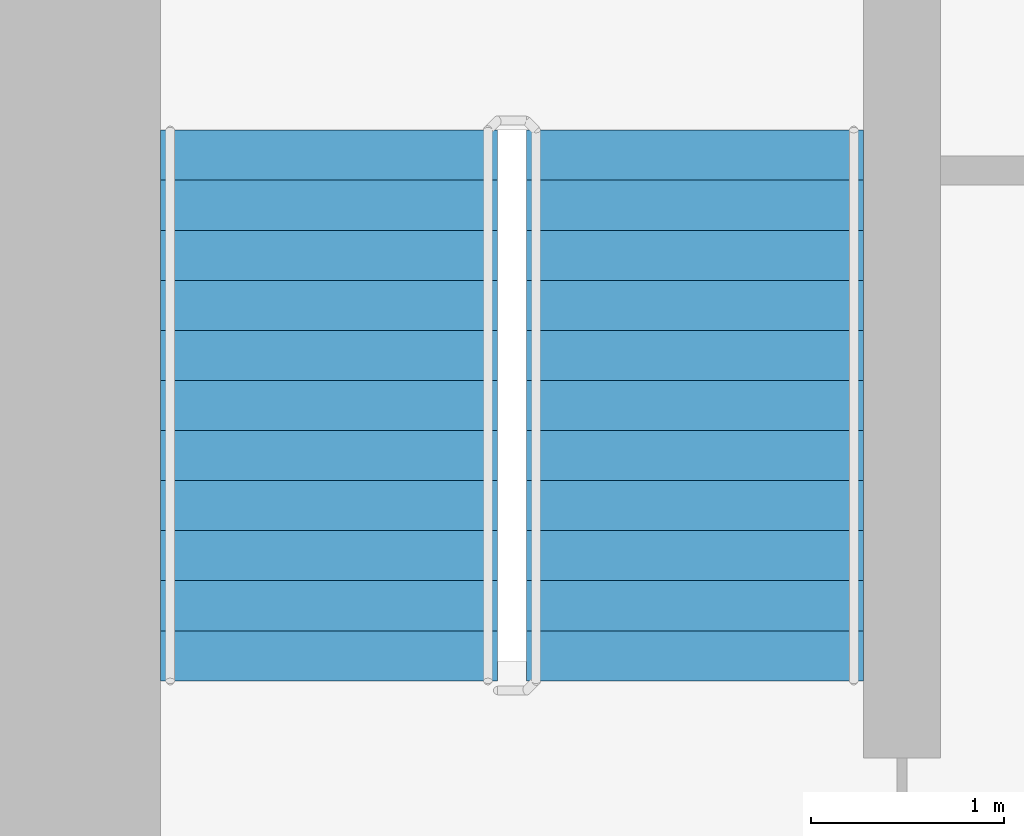
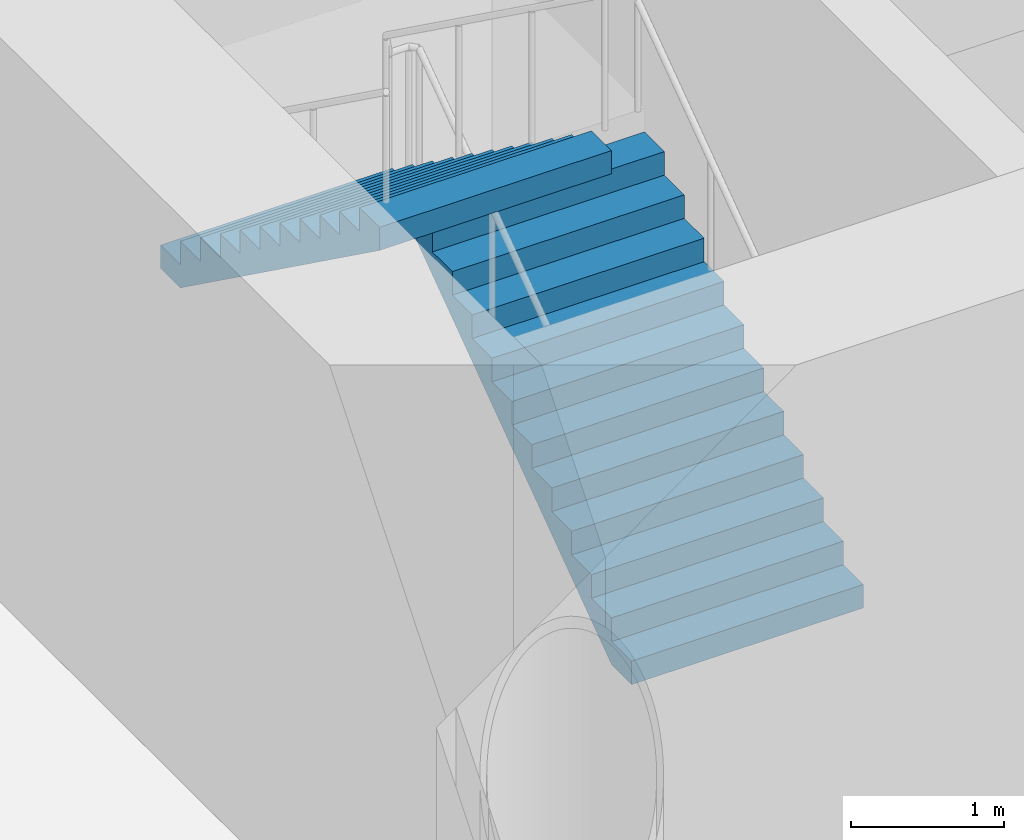
# One storey, part 39 of 49: 2 stair flights, 1 element without a shape of its own.
"""IFC4 building model written with IfcOpenShell, lengths in metres."""

from ifc_helpers import new_model, si_unit, direction, frame, origin, place, context, subcontext, project, spatial, faceted_brep, material, type_object, element, aggregate, save


model = new_model("IFC4")

# Units and contexts
model_context = context("Model", 3, precision=1e-05, world=origin(), true_north=direction((0.0, 1.0)))
body_context = subcontext(model_context, "Body", "Model", "MODEL_VIEW")
ifc_project = project(units=[si_unit("LENGTHUNIT", "METRE"), si_unit("AREAUNIT", "SQUARE_METRE"), si_unit("VOLUMEUNIT", "CUBIC_METRE"), si_unit("PLANEANGLEUNIT", "RADIAN"), si_unit("MASSUNIT", "GRAM", prefix="KILO")], contexts=[model_context])

# Site, building, storey
site_placement = place(None, origin())
site = spatial("IfcSite", under=ifc_project, at=site_placement, CompositionType="ELEMENT")
building_placement = place(site_placement, origin())
building = spatial("IfcBuilding", under=site, at=building_placement, Name="Ipe Terrace Towers", CompositionType="ELEMENT")
storey_placement = place(building_placement, frame((0.0, 0.0, 11.0)))
storey = spatial("IfcBuildingStorey", under=building, at=storey_placement, Name="L02", CompositionType="ELEMENT", Elevation=11.0)

# Stair, stair flights
ifc_material_1 = material(Name="Concrete C30/37", Category="concrete")
stair_type = type_object("IfcStairType", Name="Protected exit stair", PredefinedType="HALF_TURN_STAIR", material=ifc_material_1)
stair_placement = place(storey_placement, origin())
stair = element("IfcStair", 1, at=stair_placement, inside=storey, type_object=stair_type, Name="L02 Exit stair T2-C1", PredefinedType="HALF_TURN_STAIR")
ifc_material_2 = material(Name="Concrete C30/37", Category="concrete")
stair_flight_type = type_object("IfcStairFlightType", Name="Exit stair flight 1750", PredefinedType="STRAIGHT", material=ifc_material_2)
stair_flight_1_placement = place(storey_placement, frame((33.22509765625, 9.699951171875, 0.0), z_axis=(0.0, 0.0, 1.0), x_axis=(0.0, 1.0, 0.0)))
stair_flight_1 = element("IfcStairFlight", 2, at=stair_flight_1_placement, type_object=stair_flight_type, Name="T2-ST1 flight 1", NumberOfRisers=12, NumberOfTreads=11, PredefinedType="STRAIGHT", RiserHeight=0.1875, TreadLength=0.26, context=body_context, shape_type="Brep", body=[
    faceted_brep([(0.25634765625, -0.875, 0.0), (2.860107421875, -0.875, 1.877685546875), (2.860107421875, -0.875, 2.0625), (2.60009765625, -0.875, 2.0625), (2.60009765625, -0.875, 1.875), (2.340087890625, -0.875, 1.875), (2.340087890625, -0.875, 1.6875), (2.080078125, -0.875, 1.6875), (2.080078125, -0.875, 1.5), (1.820068359375, -0.875, 1.5), (1.820068359375, -0.875, 1.3125), (1.56005859375, -0.875, 1.3125), (1.56005859375, -0.875, 1.125), (1.300048828125, -0.875, 1.125), (1.300048828125, -0.875, 0.9375), (1.0400390625, -0.875, 0.9375), (1.0400390625, -0.875, 0.75), (0.780029296875, -0.875, 0.75), (0.780029296875, -0.875, 0.5625), (0.52001953125, -0.875, 0.5625), (0.52001953125, -0.875, 0.375), (0.260009765625, -0.875, 0.375), (0.260009765625, -0.875, 0.1875), (0.0, -0.875, 0.1875), (0.0, -0.875, 0.0), (0.0, 0.875, 0.0), (0.0, 0.875, 0.1875), (0.260009765625, 0.875, 0.1875), (0.260009765625, 0.875, 0.375), (0.52001953125, 0.875, 0.375), (0.52001953125, 0.875, 0.5625), (0.780029296875, 0.875, 0.5625), (0.780029296875, 0.875, 0.75), (1.0400390625, 0.875, 0.75), (1.0400390625, 0.875, 0.9375), (1.300048828125, 0.875, 0.9375), (1.300048828125, 0.875, 1.125), (1.56005859375, 0.875, 1.125), (1.56005859375, 0.875, 1.3125), (1.820068359375, 0.875, 1.3125), (1.820068359375, 0.875, 1.5), (2.080078125, 0.875, 1.5), (2.080078125, 0.875, 1.6875), (2.340087890625, 0.875, 1.6875), (2.340087890625, 0.875, 1.875), (2.60009765625, 0.875, 1.875), (2.60009765625, 0.875, 2.0625), (2.860107421875, 0.875, 2.0625), (2.860107421875, 0.875, 1.877685546875), (0.25634765625, 0.875, 0.0), (0.0, -0.300048828125, 0.1875), (0.0, -0.1201171875, 0.1875), (0.0, -0.06005859375, 0.1875), (0.0, -0.030029296875, 0.1875), (0.0, -0.010009765625, 0.1875), (0.0, 0.0, 0.1875), (0.0, 0.010009765625, 0.1875), (0.0, 0.030029296875, 0.1875), (0.0, 0.06005859375, 0.1875), (0.0, 0.1201171875, 0.1875), (0.0, 0.300048828125, 0.1875), (0.0, 0.300048828125, 0.0), (0.0, 0.1201171875, 0.0), (0.0, 0.06005859375, 0.0), (0.0, 0.030029296875, 0.0), (0.0, 0.010009765625, 0.0), (0.0, 0.0, 0.0), (0.0, -0.010009765625, 0.0), (0.0, -0.030029296875, 0.0), (0.0, -0.06005859375, 0.0), (0.0, -0.1201171875, 0.0), (0.0, -0.300048828125, 0.0), (0.260009765625, -0.300048828125, 0.1875), (0.260009765625, -0.1201171875, 0.1875), (0.260009765625, -0.06005859375, 0.1875), (0.260009765625, -0.030029296875, 0.1875), (0.260009765625, -0.010009765625, 0.1875), (0.260009765625, 0.0, 0.1875), (0.260009765625, 0.010009765625, 0.1875), (0.260009765625, 0.030029296875, 0.1875), (0.260009765625, 0.06005859375, 0.1875), (0.260009765625, 0.1201171875, 0.1875), (0.260009765625, 0.300048828125, 0.1875), (0.260009765625, -0.300048828125, 0.375), (0.260009765625, -0.1201171875, 0.375), (0.260009765625, -0.06005859375, 0.375), (0.260009765625, -0.030029296875, 0.375), (0.260009765625, -0.010009765625, 0.375), (0.260009765625, 0.0, 0.375), (0.260009765625, 0.010009765625, 0.375), (0.260009765625, 0.030029296875, 0.375), (0.260009765625, 0.06005859375, 0.375), (0.260009765625, 0.1201171875, 0.375), (0.260009765625, 0.300048828125, 0.375), (0.52001953125, -0.300048828125, 0.375), (0.52001953125, -0.1201171875, 0.375), (0.52001953125, -0.06005859375, 0.375), (0.52001953125, -0.030029296875, 0.375), (0.52001953125, -0.010009765625, 0.375), (0.52001953125, 0.0, 0.375), (0.52001953125, 0.010009765625, 0.375), (0.52001953125, 0.030029296875, 0.375), (0.52001953125, 0.06005859375, 0.375), (0.52001953125, 0.1201171875, 0.375), (0.52001953125, 0.300048828125, 0.375), (0.52001953125, -0.300048828125, 0.5625), (0.52001953125, -0.1201171875, 0.5625), (0.52001953125, -0.06005859375, 0.5625), (0.52001953125, -0.030029296875, 0.5625), (0.52001953125, -0.010009765625, 0.5625), (0.52001953125, 0.0, 0.5625), (0.52001953125, 0.010009765625, 0.5625), (0.52001953125, 0.030029296875, 0.5625), (0.52001953125, 0.06005859375, 0.5625), (0.52001953125, 0.1201171875, 0.5625), (0.52001953125, 0.300048828125, 0.5625), (0.780029296875, -0.300048828125, 0.5625), (0.780029296875, -0.1201171875, 0.5625), (0.780029296875, -0.06005859375, 0.5625), (0.780029296875, -0.030029296875, 0.5625), (0.780029296875, -0.010009765625, 0.5625), (0.780029296875, 0.0, 0.5625), (0.780029296875, 0.010009765625, 0.5625), (0.780029296875, 0.030029296875, 0.5625), (0.780029296875, 0.06005859375, 0.5625), (0.780029296875, 0.1201171875, 0.5625), (0.780029296875, 0.300048828125, 0.5625), (0.780029296875, -0.300048828125, 0.75), (0.780029296875, -0.1201171875, 0.75), (0.780029296875, -0.06005859375, 0.75), (0.780029296875, -0.030029296875, 0.75), (0.780029296875, -0.010009765625, 0.75), (0.780029296875, 0.0, 0.75), (0.780029296875, 0.010009765625, 0.75), (0.780029296875, 0.030029296875, 0.75), (0.780029296875, 0.06005859375, 0.75), (0.780029296875, 0.1201171875, 0.75), (0.780029296875, 0.300048828125, 0.75), (1.0400390625, -0.300048828125, 0.75), (1.0400390625, -0.1201171875, 0.75), (1.0400390625, -0.06005859375, 0.75), (1.0400390625, -0.030029296875, 0.75), (1.0400390625, -0.010009765625, 0.75), (1.0400390625, 0.0, 0.75), (1.0400390625, 0.010009765625, 0.75), (1.0400390625, 0.030029296875, 0.75), (1.0400390625, 0.06005859375, 0.75), (1.0400390625, 0.1201171875, 0.75), (1.0400390625, 0.300048828125, 0.75), (1.0400390625, -0.300048828125, 0.9375), (1.0400390625, -0.1201171875, 0.9375), (1.0400390625, -0.06005859375, 0.9375), (1.0400390625, -0.030029296875, 0.9375), (1.0400390625, -0.010009765625, 0.9375), (1.0400390625, 0.0, 0.9375), (1.0400390625, 0.010009765625, 0.9375), (1.0400390625, 0.030029296875, 0.9375), (1.0400390625, 0.06005859375, 0.9375), (1.0400390625, 0.1201171875, 0.9375), (1.0400390625, 0.300048828125, 0.9375), (1.300048828125, -0.300048828125, 0.9375), (1.300048828125, -0.1201171875, 0.9375), (1.300048828125, -0.06005859375, 0.9375), (1.300048828125, -0.030029296875, 0.9375), (1.300048828125, -0.010009765625, 0.9375), (1.300048828125, 0.0, 0.9375), (1.300048828125, 0.010009765625, 0.9375), (1.300048828125, 0.030029296875, 0.9375), (1.300048828125, 0.06005859375, 0.9375), (1.300048828125, 0.1201171875, 0.9375), (1.300048828125, 0.300048828125, 0.9375), (1.300048828125, -0.300048828125, 1.125), (1.300048828125, -0.1201171875, 1.125), (1.300048828125, -0.06005859375, 1.125), (1.300048828125, -0.030029296875, 1.125), (1.300048828125, -0.010009765625, 1.125), (1.300048828125, 0.0, 1.125), (1.300048828125, 0.010009765625, 1.125), (1.300048828125, 0.030029296875, 1.125), (1.300048828125, 0.06005859375, 1.125), (1.300048828125, 0.1201171875, 1.125), (1.300048828125, 0.300048828125, 1.125), (1.56005859375, -0.300048828125, 1.125), (1.56005859375, -0.1201171875, 1.125), (1.56005859375, -0.06005859375, 1.125), (1.56005859375, -0.030029296875, 1.125), (1.56005859375, -0.010009765625, 1.125), (1.56005859375, 0.0, 1.125), (1.56005859375, 0.010009765625, 1.125), (1.56005859375, 0.030029296875, 1.125), (1.56005859375, 0.06005859375, 1.125), (1.56005859375, 0.1201171875, 1.125), (1.56005859375, 0.300048828125, 1.125), (1.56005859375, -0.300048828125, 1.3125), (1.56005859375, -0.1201171875, 1.3125), (1.56005859375, -0.06005859375, 1.3125), (1.56005859375, -0.030029296875, 1.3125), (1.56005859375, -0.010009765625, 1.3125), (1.56005859375, 0.0, 1.3125), (1.56005859375, 0.010009765625, 1.3125), (1.56005859375, 0.030029296875, 1.3125), (1.56005859375, 0.06005859375, 1.3125), (1.56005859375, 0.1201171875, 1.3125), (1.56005859375, 0.300048828125, 1.3125), (1.820068359375, -0.300048828125, 1.3125), (1.820068359375, -0.1201171875, 1.3125), (1.820068359375, -0.06005859375, 1.3125), (1.820068359375, -0.030029296875, 1.3125), (1.820068359375, -0.010009765625, 1.3125), (1.820068359375, 0.0, 1.3125), (1.820068359375, 0.010009765625, 1.3125), (1.820068359375, 0.030029296875, 1.3125), (1.820068359375, 0.06005859375, 1.3125), (1.820068359375, 0.1201171875, 1.3125), (1.820068359375, 0.300048828125, 1.3125), (1.820068359375, -0.300048828125, 1.5), (1.820068359375, -0.1201171875, 1.5), (1.820068359375, -0.06005859375, 1.5), (1.820068359375, -0.030029296875, 1.5), (1.820068359375, -0.010009765625, 1.5), (1.820068359375, 0.0, 1.5), (1.820068359375, 0.010009765625, 1.5), (1.820068359375, 0.030029296875, 1.5), (1.820068359375, 0.06005859375, 1.5), (1.820068359375, 0.1201171875, 1.5), (1.820068359375, 0.300048828125, 1.5), (2.080078125, -0.300048828125, 1.5), (2.080078125, -0.1201171875, 1.5), (2.080078125, -0.06005859375, 1.5), (2.080078125, -0.030029296875, 1.5), (2.080078125, -0.010009765625, 1.5), (2.080078125, 0.0, 1.5), (2.080078125, 0.010009765625, 1.5), (2.080078125, 0.030029296875, 1.5), (2.080078125, 0.06005859375, 1.5), (2.080078125, 0.1201171875, 1.5), (2.080078125, 0.300048828125, 1.5), (2.080078125, -0.300048828125, 1.6875), (2.080078125, -0.1201171875, 1.6875), (2.080078125, -0.06005859375, 1.6875), (2.080078125, -0.030029296875, 1.6875), (2.080078125, -0.010009765625, 1.6875), (2.080078125, 0.0, 1.6875), (2.080078125, 0.010009765625, 1.6875), (2.080078125, 0.030029296875, 1.6875), (2.080078125, 0.06005859375, 1.6875), (2.080078125, 0.1201171875, 1.6875), (2.080078125, 0.300048828125, 1.6875), (2.340087890625, -0.300048828125, 1.6875), (2.340087890625, -0.1201171875, 1.6875), (2.340087890625, -0.06005859375, 1.6875), (2.340087890625, -0.030029296875, 1.6875), (2.340087890625, -0.010009765625, 1.6875), (2.340087890625, 0.0, 1.6875), (2.340087890625, 0.010009765625, 1.6875), (2.340087890625, 0.030029296875, 1.6875), (2.340087890625, 0.06005859375, 1.6875), (2.340087890625, 0.1201171875, 1.6875), (2.340087890625, 0.300048828125, 1.6875), (2.340087890625, -0.300048828125, 1.875), (2.340087890625, -0.1201171875, 1.875), (2.340087890625, -0.06005859375, 1.875), (2.340087890625, -0.030029296875, 1.875), (2.340087890625, -0.010009765625, 1.875), (2.340087890625, 0.0, 1.875), (2.340087890625, 0.010009765625, 1.875), (2.340087890625, 0.030029296875, 1.875), (2.340087890625, 0.06005859375, 1.875), (2.340087890625, 0.1201171875, 1.875), (2.340087890625, 0.300048828125, 1.875), (2.60009765625, -0.300048828125, 1.875), (2.60009765625, -0.1201171875, 1.875), (2.60009765625, -0.06005859375, 1.875), (2.60009765625, -0.030029296875, 1.875), (2.60009765625, -0.010009765625, 1.875), (2.60009765625, 0.0, 1.875), (2.60009765625, 0.010009765625, 1.875), (2.60009765625, 0.030029296875, 1.875), (2.60009765625, 0.06005859375, 1.875), (2.60009765625, 0.1201171875, 1.875), (2.60009765625, 0.300048828125, 1.875), (2.60009765625, -0.300048828125, 2.0625), (2.60009765625, -0.1201171875, 2.0625), (2.60009765625, -0.06005859375, 2.0625), (2.60009765625, -0.030029296875, 2.0625), (2.60009765625, -0.010009765625, 2.0625), (2.60009765625, 0.0, 2.0625), (2.60009765625, 0.010009765625, 2.0625), (2.60009765625, 0.030029296875, 2.0625), (2.60009765625, 0.06005859375, 2.0625), (2.60009765625, 0.1201171875, 2.0625), (2.60009765625, 0.300048828125, 2.0625), (2.860107421875, -0.300048828125, 2.0625), (2.860107421875, -0.1201171875, 2.0625), (2.860107421875, -0.06005859375, 2.0625), (2.860107421875, -0.030029296875, 2.0625), (2.860107421875, -0.010009765625, 2.0625), (2.860107421875, 0.0, 2.0625), (2.860107421875, 0.010009765625, 2.0625), (2.860107421875, 0.030029296875, 2.0625), (2.860107421875, 0.06005859375, 2.0625), (2.860107421875, 0.1201171875, 2.0625), (2.860107421875, 0.300048828125, 2.0625), (2.860107421875, -0.300048828125, 1.877685546875), (2.860107421875, -0.1201171875, 1.877685546875), (2.860107421875, -0.06005859375, 1.877685546875), (2.860107421875, -0.030029296875, 1.877685546875), (2.860107421875, -0.010009765625, 1.877685546875), (2.860107421875, 0.0, 1.877685546875), (2.860107421875, 0.010009765625, 1.877685546875), (2.860107421875, 0.030029296875, 1.877685546875), (2.860107421875, 0.06005859375, 1.877685546875), (2.860107421875, 0.1201171875, 1.877685546875), (2.860107421875, 0.300048828125, 1.877685546875), (0.25634765625, -0.300048828125, 0.0), (0.25634765625, -0.1201171875, 0.0), (0.25634765625, -0.06005859375, 0.0), (0.25634765625, -0.030029296875, 0.0), (0.25634765625, -0.010009765625, 0.0), (0.25634765625, 0.0, 0.0), (0.25634765625, 0.010009765625, 0.0), (0.25634765625, 0.030029296875, 0.0), (0.25634765625, 0.06005859375, 0.0), (0.25634765625, 0.1201171875, 0.0), (0.25634765625, 0.300048828125, 0.0)], [[[0, 1, 2, 3, 4, 5, 6, 7, 8, 9, 10, 11, 12, 13, 14, 15, 16, 17, 18, 19, 20, 21, 22, 23, 24]], [[25, 26, 27, 28, 29, 30, 31, 32, 33, 34, 35, 36, 37, 38, 39, 40, 41, 42, 43, 44, 45, 46, 47, 48, 49]], [[23, 50, 51, 52, 53, 54, 55, 56, 57, 58, 59, 60, 26, 25, 61, 62, 63, 64, 65, 66, 67, 68, 69, 70, 71, 24]], [[22, 72, 73, 74, 75, 76, 77, 78, 79, 80, 81, 82, 27, 26, 60, 59, 58, 57, 56, 55, 54, 53, 52, 51, 50, 23]], [[21, 83, 84, 85, 86, 87, 88, 89, 90, 91, 92, 93, 28, 27, 82, 81, 80, 79, 78, 77, 76, 75, 74, 73, 72, 22]], [[20, 94, 95, 96, 97, 98, 99, 100, 101, 102, 103, 104, 29, 28, 93, 92, 91, 90, 89, 88, 87, 86, 85, 84, 83, 21]], [[19, 105, 106, 107, 108, 109, 110, 111, 112, 113, 114, 115, 30, 29, 104, 103, 102, 101, 100, 99, 98, 97, 96, 95, 94, 20]], [[18, 116, 117, 118, 119, 120, 121, 122, 123, 124, 125, 126, 31, 30, 115, 114, 113, 112, 111, 110, 109, 108, 107, 106, 105, 19]], [[17, 127, 128, 129, 130, 131, 132, 133, 134, 135, 136, 137, 32, 31, 126, 125, 124, 123, 122, 121, 120, 119, 118, 117, 116, 18]], [[16, 138, 139, 140, 141, 142, 143, 144, 145, 146, 147, 148, 33, 32, 137, 136, 135, 134, 133, 132, 131, 130, 129, 128, 127, 17]], [[15, 149, 150, 151, 152, 153, 154, 155, 156, 157, 158, 159, 34, 33, 148, 147, 146, 145, 144, 143, 142, 141, 140, 139, 138, 16]], [[14, 160, 161, 162, 163, 164, 165, 166, 167, 168, 169, 170, 35, 34, 159, 158, 157, 156, 155, 154, 153, 152, 151, 150, 149, 15]], [[13, 171, 172, 173, 174, 175, 176, 177, 178, 179, 180, 181, 36, 35, 170, 169, 168, 167, 166, 165, 164, 163, 162, 161, 160, 14]], [[12, 182, 183, 184, 185, 186, 187, 188, 189, 190, 191, 192, 37, 36, 181, 180, 179, 178, 177, 176, 175, 174, 173, 172, 171, 13]], [[11, 193, 194, 195, 196, 197, 198, 199, 200, 201, 202, 203, 38, 37, 192, 191, 190, 189, 188, 187, 186, 185, 184, 183, 182, 12]], [[10, 204, 205, 206, 207, 208, 209, 210, 211, 212, 213, 214, 39, 38, 203, 202, 201, 200, 199, 198, 197, 196, 195, 194, 193, 11]], [[9, 215, 216, 217, 218, 219, 220, 221, 222, 223, 224, 225, 40, 39, 214, 213, 212, 211, 210, 209, 208, 207, 206, 205, 204, 10]], [[8, 226, 227, 228, 229, 230, 231, 232, 233, 234, 235, 236, 41, 40, 225, 224, 223, 222, 221, 220, 219, 218, 217, 216, 215, 9]], [[7, 237, 238, 239, 240, 241, 242, 243, 244, 245, 246, 247, 42, 41, 236, 235, 234, 233, 232, 231, 230, 229, 228, 227, 226, 8]], [[6, 248, 249, 250, 251, 252, 253, 254, 255, 256, 257, 258, 43, 42, 247, 246, 245, 244, 243, 242, 241, 240, 239, 238, 237, 7]], [[5, 259, 260, 261, 262, 263, 264, 265, 266, 267, 268, 269, 44, 43, 258, 257, 256, 255, 254, 253, 252, 251, 250, 249, 248, 6]], [[4, 270, 271, 272, 273, 274, 275, 276, 277, 278, 279, 280, 45, 44, 269, 268, 267, 266, 265, 264, 263, 262, 261, 260, 259, 5]], [[3, 281, 282, 283, 284, 285, 286, 287, 288, 289, 290, 291, 46, 45, 280, 279, 278, 277, 276, 275, 274, 273, 272, 271, 270, 4]], [[2, 292, 293, 294, 295, 296, 297, 298, 299, 300, 301, 302, 47, 46, 291, 290, 289, 288, 287, 286, 285, 284, 283, 282, 281, 3]], [[1, 303, 304, 305, 306, 307, 308, 309, 310, 311, 312, 313, 48, 47, 302, 301, 300, 299, 298, 297, 296, 295, 294, 293, 292, 2]], [[0, 314, 315, 316, 317, 318, 319, 320, 321, 322, 323, 324, 49, 48, 313, 312, 311, 310, 309, 308, 307, 306, 305, 304, 303, 1]], [[24, 71, 70, 69, 68, 67, 66, 65, 64, 63, 62, 61, 25, 49, 324, 323, 322, 321, 320, 319, 318, 317, 316, 315, 314, 0]]]),
])
stair_flight_2_placement = place(storey_placement, frame((31.324951171875, 12.56005859375, 2.25), z_axis=(0.0, 0.0, 1.0), x_axis=(0.0, -1.0, 0.0)))
stair_flight_2 = element("IfcStairFlight", 3, at=stair_flight_2_placement, type_object=stair_flight_type, Name="T2-ST1 flight 2", NumberOfRisers=12, NumberOfTreads=11, PredefinedType="STRAIGHT", RiserHeight=0.1875, TreadLength=0.26, context=body_context, shape_type="Brep", body=[
    faceted_brep([(0.25634765625, -0.875, 0.0), (2.860107421875, -0.875, 1.877685546875), (2.860107421875, -0.875, 2.0625), (2.60009765625, -0.875, 2.0625), (2.60009765625, -0.875, 1.875), (2.340087890625, -0.875, 1.875), (2.340087890625, -0.875, 1.6875), (2.080078125, -0.875, 1.6875), (2.080078125, -0.875, 1.5), (1.820068359375, -0.875, 1.5), (1.820068359375, -0.875, 1.3125), (1.56005859375, -0.875, 1.3125), (1.56005859375, -0.875, 1.125), (1.300048828125, -0.875, 1.125), (1.300048828125, -0.875, 0.9375), (1.0400390625, -0.875, 0.9375), (1.0400390625, -0.875, 0.75), (0.780029296875, -0.875, 0.75), (0.780029296875, -0.875, 0.5625), (0.52001953125, -0.875, 0.5625), (0.52001953125, -0.875, 0.375), (0.260009765625, -0.875, 0.375), (0.260009765625, -0.875, 0.1875), (0.0, -0.875, 0.1875), (0.0, -0.875, 0.0), (0.0, 0.875, 0.0), (0.0, 0.875, 0.1875), (0.260009765625, 0.875, 0.1875), (0.260009765625, 0.875, 0.375), (0.52001953125, 0.875, 0.375), (0.52001953125, 0.875, 0.5625), (0.780029296875, 0.875, 0.5625), (0.780029296875, 0.875, 0.75), (1.0400390625, 0.875, 0.75), (1.0400390625, 0.875, 0.9375), (1.300048828125, 0.875, 0.9375), (1.300048828125, 0.875, 1.125), (1.56005859375, 0.875, 1.125), (1.56005859375, 0.875, 1.3125), (1.820068359375, 0.875, 1.3125), (1.820068359375, 0.875, 1.5), (2.080078125, 0.875, 1.5), (2.080078125, 0.875, 1.6875), (2.340087890625, 0.875, 1.6875), (2.340087890625, 0.875, 1.875), (2.60009765625, 0.875, 1.875), (2.60009765625, 0.875, 2.0625), (2.860107421875, 0.875, 2.0625), (2.860107421875, 0.875, 1.877685546875), (0.25634765625, 0.875, 0.0), (0.0, -0.300048828125, 0.1875), (0.0, -0.1201171875, 0.1875), (0.0, -0.06005859375, 0.1875), (0.0, -0.030029296875, 0.1875), (0.0, -0.010009765625, 0.1875), (0.0, 0.0, 0.1875), (0.0, 0.010009765625, 0.1875), (0.0, 0.030029296875, 0.1875), (0.0, 0.06005859375, 0.1875), (0.0, 0.1201171875, 0.1875), (0.0, 0.300048828125, 0.1875), (0.0, 0.300048828125, 0.0), (0.0, 0.1201171875, 0.0), (0.0, 0.06005859375, 0.0), (0.0, 0.030029296875, 0.0), (0.0, 0.010009765625, 0.0), (0.0, 0.0, 0.0), (0.0, -0.010009765625, 0.0), (0.0, -0.030029296875, 0.0), (0.0, -0.06005859375, 0.0), (0.0, -0.1201171875, 0.0), (0.0, -0.300048828125, 0.0), (0.260009765625, -0.300048828125, 0.1875), (0.260009765625, -0.1201171875, 0.1875), (0.260009765625, -0.06005859375, 0.1875), (0.260009765625, -0.030029296875, 0.1875), (0.260009765625, -0.010009765625, 0.1875), (0.260009765625, 0.0, 0.1875), (0.260009765625, 0.010009765625, 0.1875), (0.260009765625, 0.030029296875, 0.1875), (0.260009765625, 0.06005859375, 0.1875), (0.260009765625, 0.1201171875, 0.1875), (0.260009765625, 0.300048828125, 0.1875), (0.260009765625, -0.300048828125, 0.375), (0.260009765625, -0.1201171875, 0.375), (0.260009765625, -0.06005859375, 0.375), (0.260009765625, -0.030029296875, 0.375), (0.260009765625, -0.010009765625, 0.375), (0.260009765625, 0.0, 0.375), (0.260009765625, 0.010009765625, 0.375), (0.260009765625, 0.030029296875, 0.375), (0.260009765625, 0.06005859375, 0.375), (0.260009765625, 0.1201171875, 0.375), (0.260009765625, 0.300048828125, 0.375), (0.52001953125, -0.300048828125, 0.375), (0.52001953125, -0.1201171875, 0.375), (0.52001953125, -0.06005859375, 0.375), (0.52001953125, -0.030029296875, 0.375), (0.52001953125, -0.010009765625, 0.375), (0.52001953125, 0.0, 0.375), (0.52001953125, 0.010009765625, 0.375), (0.52001953125, 0.030029296875, 0.375), (0.52001953125, 0.06005859375, 0.375), (0.52001953125, 0.1201171875, 0.375), (0.52001953125, 0.300048828125, 0.375), (0.52001953125, -0.300048828125, 0.5625), (0.52001953125, -0.1201171875, 0.5625), (0.52001953125, -0.06005859375, 0.5625), (0.52001953125, -0.030029296875, 0.5625), (0.52001953125, -0.010009765625, 0.5625), (0.52001953125, 0.0, 0.5625), (0.52001953125, 0.010009765625, 0.5625), (0.52001953125, 0.030029296875, 0.5625), (0.52001953125, 0.06005859375, 0.5625), (0.52001953125, 0.1201171875, 0.5625), (0.52001953125, 0.300048828125, 0.5625), (0.780029296875, -0.300048828125, 0.5625), (0.780029296875, -0.1201171875, 0.5625), (0.780029296875, -0.06005859375, 0.5625), (0.780029296875, -0.030029296875, 0.5625), (0.780029296875, -0.010009765625, 0.5625), (0.780029296875, 0.0, 0.5625), (0.780029296875, 0.010009765625, 0.5625), (0.780029296875, 0.030029296875, 0.5625), (0.780029296875, 0.06005859375, 0.5625), (0.780029296875, 0.1201171875, 0.5625), (0.780029296875, 0.300048828125, 0.5625), (0.780029296875, -0.300048828125, 0.75), (0.780029296875, -0.1201171875, 0.75), (0.780029296875, -0.06005859375, 0.75), (0.780029296875, -0.030029296875, 0.75), (0.780029296875, -0.010009765625, 0.75), (0.780029296875, 0.0, 0.75), (0.780029296875, 0.010009765625, 0.75), (0.780029296875, 0.030029296875, 0.75), (0.780029296875, 0.06005859375, 0.75), (0.780029296875, 0.1201171875, 0.75), (0.780029296875, 0.300048828125, 0.75), (1.0400390625, -0.300048828125, 0.75), (1.0400390625, -0.1201171875, 0.75), (1.0400390625, -0.06005859375, 0.75), (1.0400390625, -0.030029296875, 0.75), (1.0400390625, -0.010009765625, 0.75), (1.0400390625, 0.0, 0.75), (1.0400390625, 0.010009765625, 0.75), (1.0400390625, 0.030029296875, 0.75), (1.0400390625, 0.06005859375, 0.75), (1.0400390625, 0.1201171875, 0.75), (1.0400390625, 0.300048828125, 0.75), (1.0400390625, -0.300048828125, 0.9375), (1.0400390625, -0.1201171875, 0.9375), (1.0400390625, -0.06005859375, 0.9375), (1.0400390625, -0.030029296875, 0.9375), (1.0400390625, -0.010009765625, 0.9375), (1.0400390625, 0.0, 0.9375), (1.0400390625, 0.010009765625, 0.9375), (1.0400390625, 0.030029296875, 0.9375), (1.0400390625, 0.06005859375, 0.9375), (1.0400390625, 0.1201171875, 0.9375), (1.0400390625, 0.300048828125, 0.9375), (1.300048828125, -0.300048828125, 0.9375), (1.300048828125, -0.1201171875, 0.9375), (1.300048828125, -0.06005859375, 0.9375), (1.300048828125, -0.030029296875, 0.9375), (1.300048828125, -0.010009765625, 0.9375), (1.300048828125, 0.0, 0.9375), (1.300048828125, 0.010009765625, 0.9375), (1.300048828125, 0.030029296875, 0.9375), (1.300048828125, 0.06005859375, 0.9375), (1.300048828125, 0.1201171875, 0.9375), (1.300048828125, 0.300048828125, 0.9375), (1.300048828125, -0.300048828125, 1.125), (1.300048828125, -0.1201171875, 1.125), (1.300048828125, -0.06005859375, 1.125), (1.300048828125, -0.030029296875, 1.125), (1.300048828125, -0.010009765625, 1.125), (1.300048828125, 0.0, 1.125), (1.300048828125, 0.010009765625, 1.125), (1.300048828125, 0.030029296875, 1.125), (1.300048828125, 0.06005859375, 1.125), (1.300048828125, 0.1201171875, 1.125), (1.300048828125, 0.300048828125, 1.125), (1.56005859375, -0.300048828125, 1.125), (1.56005859375, -0.1201171875, 1.125), (1.56005859375, -0.06005859375, 1.125), (1.56005859375, -0.030029296875, 1.125), (1.56005859375, -0.010009765625, 1.125), (1.56005859375, 0.0, 1.125), (1.56005859375, 0.010009765625, 1.125), (1.56005859375, 0.030029296875, 1.125), (1.56005859375, 0.06005859375, 1.125), (1.56005859375, 0.1201171875, 1.125), (1.56005859375, 0.300048828125, 1.125), (1.56005859375, -0.300048828125, 1.3125), (1.56005859375, -0.1201171875, 1.3125), (1.56005859375, -0.06005859375, 1.3125), (1.56005859375, -0.030029296875, 1.3125), (1.56005859375, -0.010009765625, 1.3125), (1.56005859375, 0.0, 1.3125), (1.56005859375, 0.010009765625, 1.3125), (1.56005859375, 0.030029296875, 1.3125), (1.56005859375, 0.06005859375, 1.3125), (1.56005859375, 0.1201171875, 1.3125), (1.56005859375, 0.300048828125, 1.3125), (1.820068359375, -0.300048828125, 1.3125), (1.820068359375, -0.1201171875, 1.3125), (1.820068359375, -0.06005859375, 1.3125), (1.820068359375, -0.030029296875, 1.3125), (1.820068359375, -0.010009765625, 1.3125), (1.820068359375, 0.0, 1.3125), (1.820068359375, 0.010009765625, 1.3125), (1.820068359375, 0.030029296875, 1.3125), (1.820068359375, 0.06005859375, 1.3125), (1.820068359375, 0.1201171875, 1.3125), (1.820068359375, 0.300048828125, 1.3125), (1.820068359375, -0.300048828125, 1.5), (1.820068359375, -0.1201171875, 1.5), (1.820068359375, -0.06005859375, 1.5), (1.820068359375, -0.030029296875, 1.5), (1.820068359375, -0.010009765625, 1.5), (1.820068359375, 0.0, 1.5), (1.820068359375, 0.010009765625, 1.5), (1.820068359375, 0.030029296875, 1.5), (1.820068359375, 0.06005859375, 1.5), (1.820068359375, 0.1201171875, 1.5), (1.820068359375, 0.300048828125, 1.5), (2.080078125, -0.300048828125, 1.5), (2.080078125, -0.1201171875, 1.5), (2.080078125, -0.06005859375, 1.5), (2.080078125, -0.030029296875, 1.5), (2.080078125, -0.010009765625, 1.5), (2.080078125, 0.0, 1.5), (2.080078125, 0.010009765625, 1.5), (2.080078125, 0.030029296875, 1.5), (2.080078125, 0.06005859375, 1.5), (2.080078125, 0.1201171875, 1.5), (2.080078125, 0.300048828125, 1.5), (2.080078125, -0.300048828125, 1.6875), (2.080078125, -0.1201171875, 1.6875), (2.080078125, -0.06005859375, 1.6875), (2.080078125, -0.030029296875, 1.6875), (2.080078125, -0.010009765625, 1.6875), (2.080078125, 0.0, 1.6875), (2.080078125, 0.010009765625, 1.6875), (2.080078125, 0.030029296875, 1.6875), (2.080078125, 0.06005859375, 1.6875), (2.080078125, 0.1201171875, 1.6875), (2.080078125, 0.300048828125, 1.6875), (2.340087890625, -0.300048828125, 1.6875), (2.340087890625, -0.1201171875, 1.6875), (2.340087890625, -0.06005859375, 1.6875), (2.340087890625, -0.030029296875, 1.6875), (2.340087890625, -0.010009765625, 1.6875), (2.340087890625, 0.0, 1.6875), (2.340087890625, 0.010009765625, 1.6875), (2.340087890625, 0.030029296875, 1.6875), (2.340087890625, 0.06005859375, 1.6875), (2.340087890625, 0.1201171875, 1.6875), (2.340087890625, 0.300048828125, 1.6875), (2.340087890625, -0.300048828125, 1.875), (2.340087890625, -0.1201171875, 1.875), (2.340087890625, -0.06005859375, 1.875), (2.340087890625, -0.030029296875, 1.875), (2.340087890625, -0.010009765625, 1.875), (2.340087890625, 0.0, 1.875), (2.340087890625, 0.010009765625, 1.875), (2.340087890625, 0.030029296875, 1.875), (2.340087890625, 0.06005859375, 1.875), (2.340087890625, 0.1201171875, 1.875), (2.340087890625, 0.300048828125, 1.875), (2.60009765625, -0.300048828125, 1.875), (2.60009765625, -0.1201171875, 1.875), (2.60009765625, -0.06005859375, 1.875), (2.60009765625, -0.030029296875, 1.875), (2.60009765625, -0.010009765625, 1.875), (2.60009765625, 0.0, 1.875), (2.60009765625, 0.010009765625, 1.875), (2.60009765625, 0.030029296875, 1.875), (2.60009765625, 0.06005859375, 1.875), (2.60009765625, 0.1201171875, 1.875), (2.60009765625, 0.300048828125, 1.875), (2.60009765625, -0.300048828125, 2.0625), (2.60009765625, -0.1201171875, 2.0625), (2.60009765625, -0.06005859375, 2.0625), (2.60009765625, -0.030029296875, 2.0625), (2.60009765625, -0.010009765625, 2.0625), (2.60009765625, 0.0, 2.0625), (2.60009765625, 0.010009765625, 2.0625), (2.60009765625, 0.030029296875, 2.0625), (2.60009765625, 0.06005859375, 2.0625), (2.60009765625, 0.1201171875, 2.0625), (2.60009765625, 0.300048828125, 2.0625), (2.860107421875, -0.300048828125, 2.0625), (2.860107421875, -0.1201171875, 2.0625), (2.860107421875, -0.06005859375, 2.0625), (2.860107421875, -0.030029296875, 2.0625), (2.860107421875, -0.010009765625, 2.0625), (2.860107421875, 0.0, 2.0625), (2.860107421875, 0.010009765625, 2.0625), (2.860107421875, 0.030029296875, 2.0625), (2.860107421875, 0.06005859375, 2.0625), (2.860107421875, 0.1201171875, 2.0625), (2.860107421875, 0.300048828125, 2.0625), (2.860107421875, -0.300048828125, 1.877685546875), (2.860107421875, -0.1201171875, 1.877685546875), (2.860107421875, -0.06005859375, 1.877685546875), (2.860107421875, -0.030029296875, 1.877685546875), (2.860107421875, -0.010009765625, 1.877685546875), (2.860107421875, 0.0, 1.877685546875), (2.860107421875, 0.010009765625, 1.877685546875), (2.860107421875, 0.030029296875, 1.877685546875), (2.860107421875, 0.06005859375, 1.877685546875), (2.860107421875, 0.1201171875, 1.877685546875), (2.860107421875, 0.300048828125, 1.877685546875), (0.25634765625, -0.300048828125, 0.0), (0.25634765625, -0.1201171875, 0.0), (0.25634765625, -0.06005859375, 0.0), (0.25634765625, -0.030029296875, 0.0), (0.25634765625, -0.010009765625, 0.0), (0.25634765625, 0.0, 0.0), (0.25634765625, 0.010009765625, 0.0), (0.25634765625, 0.030029296875, 0.0), (0.25634765625, 0.06005859375, 0.0), (0.25634765625, 0.1201171875, 0.0), (0.25634765625, 0.300048828125, 0.0)], [[[0, 1, 2, 3, 4, 5, 6, 7, 8, 9, 10, 11, 12, 13, 14, 15, 16, 17, 18, 19, 20, 21, 22, 23, 24]], [[25, 26, 27, 28, 29, 30, 31, 32, 33, 34, 35, 36, 37, 38, 39, 40, 41, 42, 43, 44, 45, 46, 47, 48, 49]], [[23, 50, 51, 52, 53, 54, 55, 56, 57, 58, 59, 60, 26, 25, 61, 62, 63, 64, 65, 66, 67, 68, 69, 70, 71, 24]], [[22, 72, 73, 74, 75, 76, 77, 78, 79, 80, 81, 82, 27, 26, 60, 59, 58, 57, 56, 55, 54, 53, 52, 51, 50, 23]], [[21, 83, 84, 85, 86, 87, 88, 89, 90, 91, 92, 93, 28, 27, 82, 81, 80, 79, 78, 77, 76, 75, 74, 73, 72, 22]], [[20, 94, 95, 96, 97, 98, 99, 100, 101, 102, 103, 104, 29, 28, 93, 92, 91, 90, 89, 88, 87, 86, 85, 84, 83, 21]], [[19, 105, 106, 107, 108, 109, 110, 111, 112, 113, 114, 115, 30, 29, 104, 103, 102, 101, 100, 99, 98, 97, 96, 95, 94, 20]], [[18, 116, 117, 118, 119, 120, 121, 122, 123, 124, 125, 126, 31, 30, 115, 114, 113, 112, 111, 110, 109, 108, 107, 106, 105, 19]], [[17, 127, 128, 129, 130, 131, 132, 133, 134, 135, 136, 137, 32, 31, 126, 125, 124, 123, 122, 121, 120, 119, 118, 117, 116, 18]], [[16, 138, 139, 140, 141, 142, 143, 144, 145, 146, 147, 148, 33, 32, 137, 136, 135, 134, 133, 132, 131, 130, 129, 128, 127, 17]], [[15, 149, 150, 151, 152, 153, 154, 155, 156, 157, 158, 159, 34, 33, 148, 147, 146, 145, 144, 143, 142, 141, 140, 139, 138, 16]], [[14, 160, 161, 162, 163, 164, 165, 166, 167, 168, 169, 170, 35, 34, 159, 158, 157, 156, 155, 154, 153, 152, 151, 150, 149, 15]], [[13, 171, 172, 173, 174, 175, 176, 177, 178, 179, 180, 181, 36, 35, 170, 169, 168, 167, 166, 165, 164, 163, 162, 161, 160, 14]], [[12, 182, 183, 184, 185, 186, 187, 188, 189, 190, 191, 192, 37, 36, 181, 180, 179, 178, 177, 176, 175, 174, 173, 172, 171, 13]], [[11, 193, 194, 195, 196, 197, 198, 199, 200, 201, 202, 203, 38, 37, 192, 191, 190, 189, 188, 187, 186, 185, 184, 183, 182, 12]], [[10, 204, 205, 206, 207, 208, 209, 210, 211, 212, 213, 214, 39, 38, 203, 202, 201, 200, 199, 198, 197, 196, 195, 194, 193, 11]], [[9, 215, 216, 217, 218, 219, 220, 221, 222, 223, 224, 225, 40, 39, 214, 213, 212, 211, 210, 209, 208, 207, 206, 205, 204, 10]], [[8, 226, 227, 228, 229, 230, 231, 232, 233, 234, 235, 236, 41, 40, 225, 224, 223, 222, 221, 220, 219, 218, 217, 216, 215, 9]], [[7, 237, 238, 239, 240, 241, 242, 243, 244, 245, 246, 247, 42, 41, 236, 235, 234, 233, 232, 231, 230, 229, 228, 227, 226, 8]], [[6, 248, 249, 250, 251, 252, 253, 254, 255, 256, 257, 258, 43, 42, 247, 246, 245, 244, 243, 242, 241, 240, 239, 238, 237, 7]], [[5, 259, 260, 261, 262, 263, 264, 265, 266, 267, 268, 269, 44, 43, 258, 257, 256, 255, 254, 253, 252, 251, 250, 249, 248, 6]], [[4, 270, 271, 272, 273, 274, 275, 276, 277, 278, 279, 280, 45, 44, 269, 268, 267, 266, 265, 264, 263, 262, 261, 260, 259, 5]], [[3, 281, 282, 283, 284, 285, 286, 287, 288, 289, 290, 291, 46, 45, 280, 279, 278, 277, 276, 275, 274, 273, 272, 271, 270, 4]], [[2, 292, 293, 294, 295, 296, 297, 298, 299, 300, 301, 302, 47, 46, 291, 290, 289, 288, 287, 286, 285, 284, 283, 282, 281, 3]], [[1, 303, 304, 305, 306, 307, 308, 309, 310, 311, 312, 313, 48, 47, 302, 301, 300, 299, 298, 297, 296, 295, 294, 293, 292, 2]], [[0, 314, 315, 316, 317, 318, 319, 320, 321, 322, 323, 324, 49, 48, 313, 312, 311, 310, 309, 308, 307, 306, 305, 304, 303, 1]], [[24, 71, 70, 69, 68, 67, 66, 65, 64, 63, 62, 61, 25, 49, 324, 323, 322, 321, 320, 319, 318, 317, 316, 315, 314, 0]]]),
])
aggregate(stair, [stair_flight_1, stair_flight_2])

save(model, "model.ifc")
